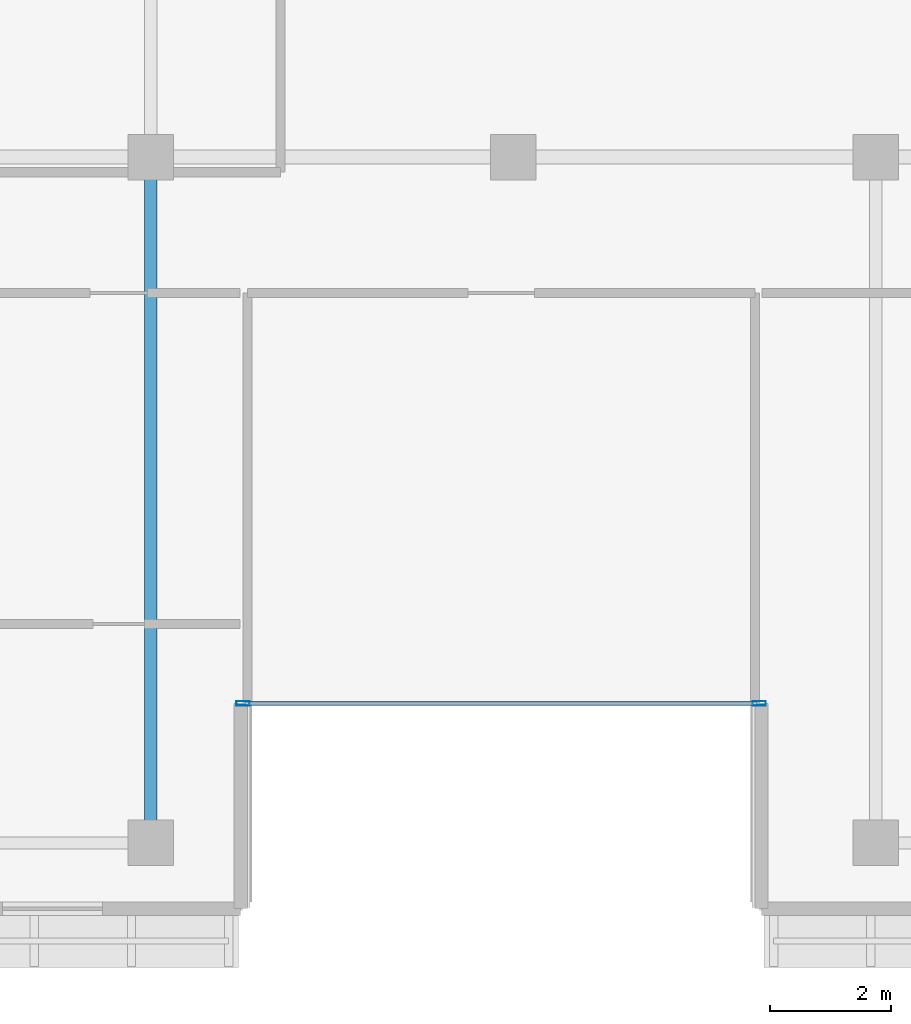
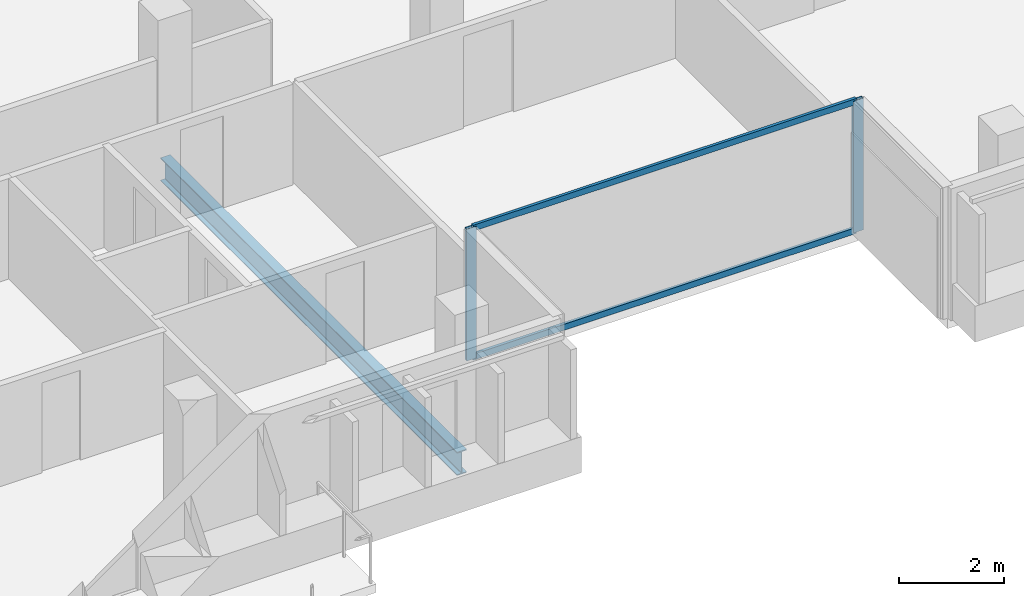
# One storey, part 4 of 25: 4 members, 1 beam, 1 element without a shape of its own.
"""IFC4 building model written with IfcOpenShell, lengths in metres."""

from ifc_helpers import new_model, si_unit, direction, frame, origin, origin_2d, place, context, subcontext, project, spatial, hollow_rectangle, i_section, extrude, material, layer, layer_set, material_profile, profile_set, type_object, element, aggregate, save


model = new_model("IFC4")

# Units and contexts
model_context = context("Model", 3, precision=1e-05, world=origin(), true_north=direction((0.0, 1.0)))
body_context = subcontext(model_context, "Body", "Model", "MODEL_VIEW")
ifc_project = project(units=[si_unit("LENGTHUNIT", "METRE"), si_unit("AREAUNIT", "SQUARE_METRE"), si_unit("VOLUMEUNIT", "CUBIC_METRE"), si_unit("PLANEANGLEUNIT", "RADIAN"), si_unit("MASSUNIT", "GRAM", prefix="KILO")], contexts=[model_context])

# Site, building, storey
site_placement = place(None, origin())
site = spatial("IfcSite", under=ifc_project, at=site_placement, CompositionType="ELEMENT")
building_placement = place(site_placement, origin())
building = spatial("IfcBuilding", under=site, at=building_placement, Name="Tanjung Sevakor Pilgrim Tower", CompositionType="ELEMENT")
storey_placement = place(building_placement, frame((0.0, 0.0, 204.929931640625)))
storey = spatial("IfcBuildingStorey", under=building, at=storey_placement, Name="L57", CompositionType="ELEMENT", Elevation=204.929931640625)

# Beam
ifc_material_1 = material(Name="Steel S355J2", Category="steel")
ifc_material_profile_1 = material_profile(ifc_material_1, i_section(OverallWidth=0.2119140625, OverallDepth=0.54443359375, WebThickness=0.0126953125, FlangeThickness=0.021240234375, FilletRadius=0.0126953125, at=origin_2d()))
ifc_profile_set_1 = profile_set([ifc_material_profile_1], Name="Steel S355J2")
beam_type = type_object("IfcBeamType", Name="BM-B-G5-UB_533x210x122", PredefinedType="BEAM", material=ifc_profile_set_1)
beam_placement = place(storey_placement, frame((42.0, 13.25, -0.4921875), z_axis=(0.0, 1.0, 0.0), x_axis=(-1.0, 0.0, 0.0)))
element("IfcBeam", 1, at=beam_placement, inside=storey, type_object=beam_type, Name="L57 MAIN Girder 001", PredefinedType="BEAM", context=body_context, shape_type="SweptSolid", body=[
    extrude(i_section(OverallWidth=0.2119140625, OverallDepth=0.54443359375, WebThickness=0.0126953125, FlangeThickness=0.021240234375, FilletRadius=0.0126953125, at=origin_2d()), origin(), (0.0, 0.0, 1.0), 11.35009765625),
])

# Curtain wall, members
ifc_material_2 = material(Name="Aluminium 6063-T6 and Low-E Glass", Category="aluminium")
ifc_layer = layer(ifc_material_2, 0.179931640625)
ifc_layer_set = layer_set([ifc_layer], Name="CW-SYS-CLEFT")
curtain_wall_type = type_object("IfcCurtainWallType", Name="CW-SYS-CLEFT", PredefinedType="NOTDEFINED", material=ifc_layer_set)
curtain_wall_placement = place(storey_placement, origin())
curtain_wall = element("IfcCurtainWall", 2, at=curtain_wall_placement, inside=storey, type_object=curtain_wall_type, Name="L57 Curtain Wall CW-CLF-L57-2", PredefinedType="NOTDEFINED")
ifc_material_3 = material(Name="Aluminium 6063-T6", Category="aluminium")
ifc_material_profile_2 = material_profile(ifc_material_3, hollow_rectangle(XDim=0.074951171875, YDim=0.219970703125, WallThickness=0.0048828125, at=origin_2d()))
ifc_profile_set_2 = profile_set([ifc_material_profile_2], Name="Aluminium 6063-T6")
member_type_1 = type_object("IfcMemberType", Name="TYPE-CWM-2", PredefinedType="MULLION", material=ifc_profile_set_2)
member_1_placement = place(storey_placement, frame((43.527587890625, 15.56005859375, 0.0), z_axis=(0.0, 0.0, 1.0), x_axis=(0.0, 1.0, 0.0)))
member_1 = element("IfcMember", 3, at=member_1_placement, type_object=member_type_1, Name="CW-CLF mullion 1", PredefinedType="MULLION", context=body_context, shape_type="SweptSolid", body=[
    extrude(hollow_rectangle(XDim=0.074951171875, YDim=0.219970703125, WallThickness=0.0048828125, at=origin_2d()), origin(), (0.0, 0.0, 1.0), 3.080078125),
])
member_2_placement = place(storey_placement, frame((52.072509765625, 15.56005859375, 0.0), z_axis=(0.0, 0.0, 1.0), x_axis=(0.0, 1.0, 0.0)))
member_2 = element("IfcMember", 4, at=member_2_placement, type_object=member_type_1, Name="CW-CLF mullion 2", PredefinedType="MULLION", context=body_context, shape_type="SweptSolid", body=[
    extrude(hollow_rectangle(XDim=0.074951171875, YDim=0.219970703125, WallThickness=0.0048828125, at=origin_2d()), origin(), (0.0, 0.0, 1.0), 3.080078125),
])
ifc_material_4 = material(Name="Aluminium 6063-T6", Category="aluminium")
ifc_material_profile_3 = material_profile(ifc_material_4, hollow_rectangle(XDim=0.06494140625, YDim=0.139892578125, WallThickness=0.00390625, at=origin_2d()))
ifc_profile_set_3 = profile_set([ifc_material_profile_3], Name="Aluminium 6063-T6")
member_type_2 = type_object("IfcMemberType", Name="TYPE-CWT-1", PredefinedType="USERDEFINED", material=ifc_profile_set_3)
member_3_placement = place(storey_placement, frame((43.56494140625, 15.56005859375, 0.032470703125), z_axis=(1.0, 0.0, 0.0), x_axis=(0.0, 1.0, 0.0)))
member_3 = element("IfcMember", 5, at=member_3_placement, type_object=member_type_2, Name="CW-CLF transom 1.1", ObjectType="TRANSOM", PredefinedType="USERDEFINED", context=body_context, shape_type="SweptSolid", body=[
    extrude(hollow_rectangle(XDim=0.06494140625, YDim=0.139892578125, WallThickness=0.00390625, at=origin_2d()), origin(), (0.0, 0.0, 1.0), 8.469970703125),
])
member_4_placement = place(storey_placement, frame((43.56494140625, 15.56005859375, 3.047607421875), z_axis=(1.0, 0.0, 0.0), x_axis=(0.0, 1.0, 0.0)))
member_4 = element("IfcMember", 6, at=member_4_placement, type_object=member_type_2, Name="CW-CLF transom 1.2", ObjectType="TRANSOM", PredefinedType="USERDEFINED", context=body_context, shape_type="SweptSolid", body=[
    extrude(hollow_rectangle(XDim=0.06494140625, YDim=0.139892578125, WallThickness=0.00390625, at=origin_2d()), origin(), (0.0, 0.0, 1.0), 8.469970703125),
])
aggregate(curtain_wall, [member_1, member_2, member_3, member_4])

save(model, "model.ifc")
